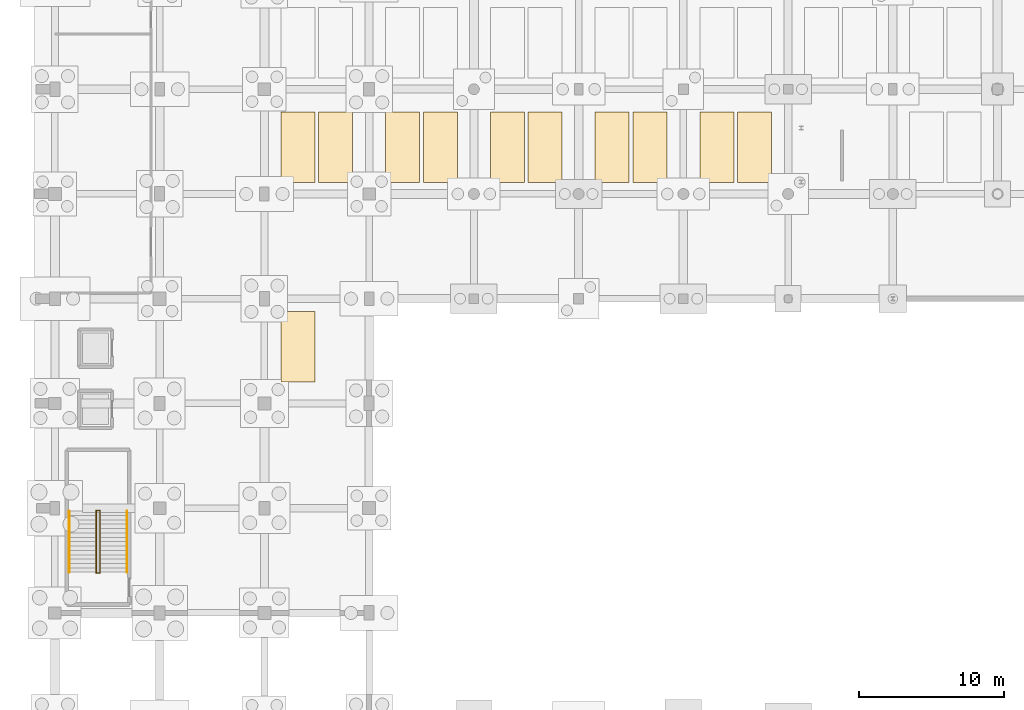
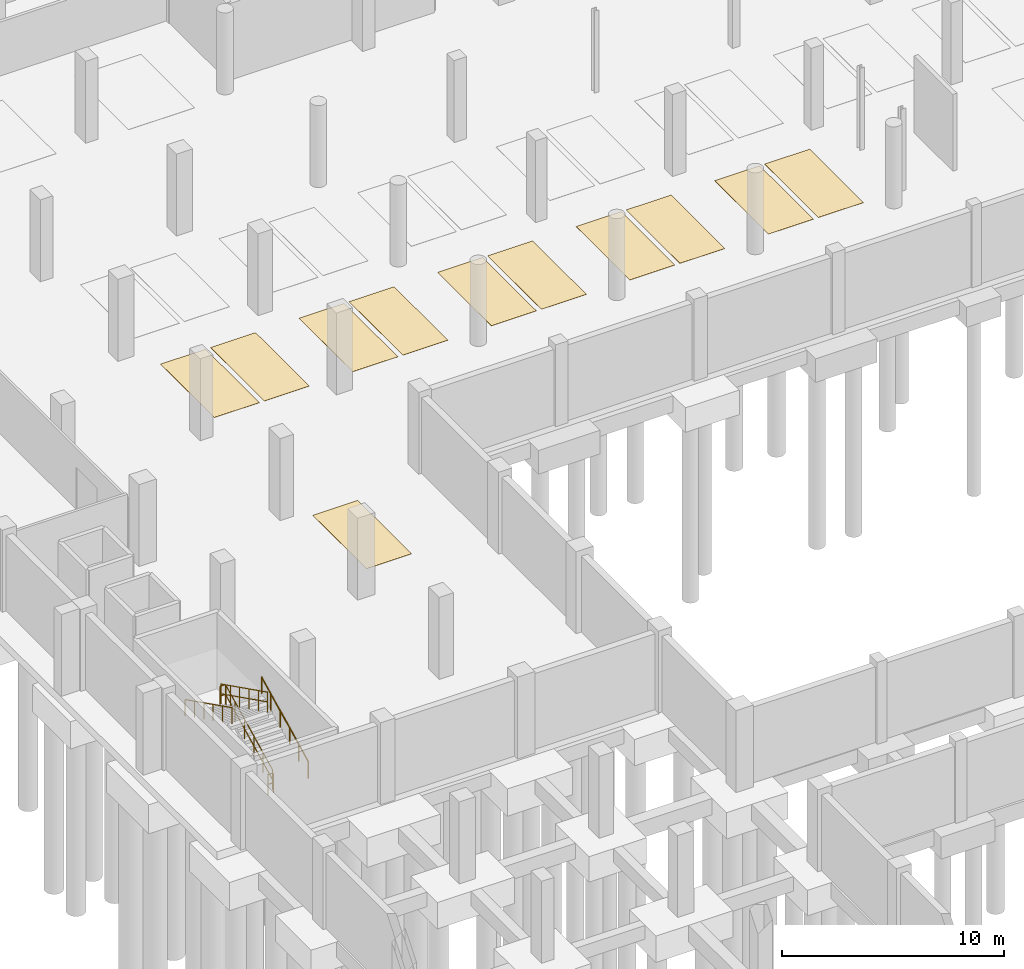
# One storey, part 29 of 35: 11 coverings, 6 railings.
"""IFC4 building model written with IfcOpenShell, lengths in metres."""

import ifcopenshell
import ifcopenshell.guid

model = None  # the IFC model being written
_history = None  # IfcOwnerHistory: only IFC2X3 demands one
_inside = {}  # id of a spatial element -> (the spatial element, [elements in it])
_under = {}  # id of a project, library or spatial element -> (it, [spatial elements below it])
_declared = {}  # id of a project -> (the project, [libraries it declares])
_typed = {}  # id of a type object -> (the type object, [elements of that type])
_made_of = {}  # id of a material, layer set ... -> (it, [elements and type objects made of it])


def new_model(schema):
    """Start an empty IFC model of exactly this schema.

    Asked for "IFC4X3", IfcOpenShell would pick the latest addendum, in which some entities
    have other attributes; the version numbers below select the first issue.
    IFC2X3 requires an IfcOwnerHistory on every rooted entity: one is made here for all.
    """
    global model, _history
    if schema == "IFC4X3":
        model = ifcopenshell.file(schema_version=(4, 3, 0, 0))
    else:
        model = ifcopenshell.file(schema=schema)
    _inside.clear()
    _under.clear()
    _declared.clear()
    _typed.clear()
    _made_of.clear()
    _history = None
    if model.schema == "IFC2X3":
        org = make("IfcOrganization", Name="unknown")
        user = make(
            "IfcPersonAndOrganization",
            ThePerson=make("IfcPerson", FamilyName="unknown"),
            TheOrganization=org,
        )
        app = make(
            "IfcApplication",
            ApplicationDeveloper=org,
            Version="unknown",
            ApplicationFullName="unknown",
            ApplicationIdentifier="unknown",
        )
        _history = make(
            "IfcOwnerHistory",
            OwningUser=user,
            OwningApplication=app,
            ChangeAction="ADDED",
            CreationDate=0,
        )
    return model


def make(cls, **values):
    """One entity of the class cls with the attributes given. An attribute that is None is left unset."""
    return model.create_entity(
        cls, **{name: value for name, value in values.items() if value is not None}
    )


def rooted(cls, **values):
    """An entity with a GlobalId (a new one), such as an element, a storey or a relation."""
    return make(cls, GlobalId=ifcopenshell.guid.new(), OwnerHistory=_history, **values)


def si_unit(unit_type, name, prefix=None):
    """IfcSIUnit, for example si_unit("LENGTHUNIT", "METRE", prefix="MILLI")."""
    return make("IfcSIUnit", UnitType=unit_type, Prefix=prefix, Name=name)


def assignment(units):
    """IfcUnitAssignment: the units of a project."""
    return None if units is None else make("IfcUnitAssignment", Units=units)


def point(xyz):
    """IfcCartesianPoint."""
    return None if xyz is None else make("IfcCartesianPoint", Coordinates=xyz)


def direction(xyz):
    """IfcDirection."""
    return None if xyz is None else make("IfcDirection", DirectionRatios=xyz)


def frame(location, z_axis=None, x_axis=None):
    """IfcAxis2Placement3D, a coordinate frame: its origin and axes. An axis left out is left unset."""
    return make(
        "IfcAxis2Placement3D",
        Location=point(location),
        Axis=direction(z_axis),
        RefDirection=direction(x_axis),
    )


def frame_2d(location, x_axis=None):
    """IfcAxis2Placement2D, a coordinate frame in the plane: its origin and x axis."""
    return make(
        "IfcAxis2Placement2D", Location=point(location), RefDirection=direction(x_axis)
    )


def origin():
    """The frame at (0, 0, 0) with its axes left unset."""
    return frame((0.0, 0.0, 0.0))


def origin_2d():
    """The frame at (0, 0) in the plane with its x axis left unset."""
    return frame_2d((0.0, 0.0))


def place(relative_to, where):
    """IfcLocalPlacement: puts the frame where relative to a parent placement (None: the world)."""
    return make(
        "IfcLocalPlacement", PlacementRelTo=relative_to, RelativePlacement=where
    )


def context(
    kind, dimensions, precision=None, world=None, true_north=None, identifier=None
):
    """IfcGeometricRepresentationContext, for example the 3D "Model" context."""
    return make(
        "IfcGeometricRepresentationContext",
        ContextIdentifier=identifier,
        ContextType=kind,
        CoordinateSpaceDimension=dimensions,
        Precision=precision,
        WorldCoordinateSystem=world,
        TrueNorth=true_north,
    )


def subcontext(parent, identifier, kind, view, scale=None):
    """IfcGeometricRepresentationSubContext, for example "Body" below "Model"."""
    return make(
        "IfcGeometricRepresentationSubContext",
        ContextIdentifier=identifier,
        ContextType=kind,
        ParentContext=parent,
        TargetScale=scale,
        TargetView=view,
    )


def project(units=None, contexts=None):
    """IfcProject with its units and contexts."""
    return rooted(
        "IfcProject",
        Name="project",
        RepresentationContexts=contexts,
        UnitsInContext=assignment(units),
    )


def spatial(cls, under=None, at=None, **own):
    """A site, building, storey or space (cls), placed at a placement, below another one or the project."""
    s = rooted(cls, ObjectPlacement=at, **own)
    if under is not None:
        _under.setdefault(under.id(), (under, []))[1].append(s)
    return s


def polyline(points):
    """IfcPolyline through the points."""
    return make("IfcPolyline", Points=[point(p) for p in points])


def profile(cls, at=None, kind="AREA", **sizes):
    """A parametric profile (cls). Its sizes go by their IFC names, for example OverallWidth=200.0."""
    return make(cls, ProfileType=kind, Position=at, **sizes)


def circle(**sizes):
    """IfcCircleProfileDef."""
    return profile("IfcCircleProfileDef", **sizes)


def outline(outer, holes=None, kind="AREA"):
    """IfcArbitraryClosedProfileDef: a profile drawn as a closed curve; with holes, ...WithVoids."""
    if holes is None:
        return make("IfcArbitraryClosedProfileDef", ProfileType=kind, OuterCurve=outer)
    return make(
        "IfcArbitraryProfileDefWithVoids",
        ProfileType=kind,
        OuterCurve=outer,
        InnerCurves=holes,
    )


def extrude(swept, where, along, depth):
    """IfcExtrudedAreaSolid: the profile swept, set in the frame where, extruded along a direction by depth."""
    return make(
        "IfcExtrudedAreaSolid",
        SweptArea=swept,
        Position=where,
        ExtrudedDirection=direction(along),
        Depth=depth,
    )


def shape(context_of_items, identifier, shape_type, items):
    """IfcShapeRepresentation: the items that make up one representation, for example the "Body"."""
    return make(
        "IfcShapeRepresentation",
        ContextOfItems=context_of_items,
        RepresentationIdentifier=identifier,
        RepresentationType=shape_type,
        Items=items,
    )


def material(Name=None, Category=None):
    """IfcMaterial."""
    return make("IfcMaterial", Name=Name, Category=Category)


def layer(
    of_material, thickness, ventilated=None, Name=None, Category=None, Priority=None
):
    """IfcMaterialLayer: one layer of a wall or slab, of a material (None: an air gap)."""
    return make(
        "IfcMaterialLayer",
        Material=of_material,
        LayerThickness=thickness,
        IsVentilated=ventilated,
        Name=Name,
        Category=Category,
        Priority=Priority,
    )


def layer_set(layers, Name=None):
    """IfcMaterialLayerSet."""
    return make("IfcMaterialLayerSet", MaterialLayers=layers, LayerSetName=Name)


def made_of(thing, what):
    """Note that an element or type object is made of a material, layer set ...; save() writes the relation."""
    if what is not None:
        _made_of.setdefault(what.id(), (what, []))[1].append(thing)
    return thing


def type_object(cls, material=None, **own):
    """A type object (cls), such as IfcWallType, which elements share."""
    return made_of(rooted(cls, **own), material)


def element(
    cls,
    number,
    at=None,
    inside=None,
    cuts=None,
    type_object=None,
    material=None,
    context=None,
    identifier="Body",
    shape_type=None,
    held_by="IfcProductDefinitionShape",
    body=None,
    shapes=None,
    **own,
):
    """One element of the class cls, such as IfcWall. Its Tag is "e" and its number.

    at: its placement. inside: the storey or other place that contains it. cuts: it is an
    opening in that element (IfcRelVoidsElement). A single representation is given by context,
    identifier, shape_type and body (its items); several are given by shapes. held_by: the class
    of the entity that holds the representations. save() writes the other relations.
    """
    e = rooted(cls, Tag="e%d" % number, ObjectPlacement=at, **own)
    if body is not None:
        shapes = [shape(context, identifier, shape_type, body)]
    if shapes is not None:
        e.Representation = make(held_by, Representations=shapes)
    if inside is not None:
        _inside.setdefault(inside.id(), (inside, []))[1].append(e)
    if cuts is not None:
        rooted(
            "IfcRelVoidsElement", RelatingBuildingElement=cuts, RelatedOpeningElement=e
        )
    if type_object is not None:
        _typed.setdefault(type_object.id(), (type_object, []))[1].append(e)
    return made_of(e, material)


def aggregate(whole, parts):
    """IfcRelAggregates: a whole, such as a stair, and the parts it consists of."""
    return rooted("IfcRelAggregates", RelatingObject=whole, RelatedObjects=parts)


def save(model, path):
    """Write the relations noted so far, then the file.

    IfcRelAggregates (storeys below a building ...), IfcRelContainedInSpatialStructure (elements
    in a storey), IfcRelDefinesByType, IfcRelAssociatesMaterial and IfcRelDeclares: one each for
    every whole, place, type object, material and project.
    """
    for whole, parts in _under.values():
        aggregate(whole, parts)
    for where, things in _inside.values():
        rooted(
            "IfcRelContainedInSpatialStructure",
            RelatedElements=things,
            RelatingStructure=where,
        )
    for kind, things in _typed.values():
        rooted("IfcRelDefinesByType", RelatedObjects=things, RelatingType=kind)
    for what, things in _made_of.values():
        rooted("IfcRelAssociatesMaterial", RelatedObjects=things, RelatingMaterial=what)
    for by, libraries in _declared.values():
        rooted("IfcRelDeclares", RelatingContext=by, RelatedDefinitions=libraries)
    model.write(path)


model = new_model("IFC4")

# Units and contexts
model_context = context("Model", 3, precision=1e-05, world=origin(), true_north=direction((0.0, 1.0)))
body_context = subcontext(model_context, "Body", "Model", "MODEL_VIEW")
ifc_project = project(units=[si_unit("LENGTHUNIT", "METRE"), si_unit("AREAUNIT", "SQUARE_METRE"), si_unit("VOLUMEUNIT", "CUBIC_METRE"), si_unit("PLANEANGLEUNIT", "RADIAN"), si_unit("MASSUNIT", "GRAM", prefix="KILO")], contexts=[model_context])

# Site, building, storey
site_placement = place(None, origin())
site = spatial("IfcSite", under=ifc_project, at=site_placement, CompositionType="ELEMENT")
building_placement = place(site_placement, origin())
building = spatial("IfcBuilding", under=site, at=building_placement, Name="Kalluvel Institute of Natural Sciences", CompositionType="ELEMENT")
storey_placement = place(building_placement, frame((0.0, 0.0, -4.5)))
storey = spatial("IfcBuildingStorey", under=building, at=storey_placement, Name="B1", CompositionType="ELEMENT", Elevation=-4.5)

# Coverings
ifc_material_1 = material(Name="Seamless Chemical-Resistant Epoxy Flooring", Category="resin")
ifc_layer = layer(ifc_material_1, 0.014892578125)
ifc_layer_set = layer_set([ifc_layer], Name="Seamless Chemical-Resistant Epoxy Flooring")
covering_type = type_object("IfcCoveringType", Name="COV-FLR-EPOXY", PredefinedType="FLOORING", material=ifc_layer_set)
covering_1_placement = place(storey_placement, origin())
element("IfcCovering", 1, at=covering_1_placement, inside=storey, type_object=covering_type, Name="Parking bay marking B1-P36", PredefinedType="FLOORING", context=body_context, shape_type="SweptSolid", body=[
    extrude(outline(polyline([(29.530029296875, 72.3798828125), (31.8701171875, 72.3798828125), (31.8701171875, 77.219970703125), (29.530029296875, 77.219970703125), (29.530029296875, 72.3798828125)])), origin(), (0.0, 0.0, 1.0), 0.008056640625),
])
covering_2_placement = place(storey_placement, origin())
element("IfcCovering", 2, at=covering_2_placement, inside=storey, type_object=covering_type, Name="Parking bay marking B1-P37", PredefinedType="FLOORING", context=body_context, shape_type="SweptSolid", body=[
    extrude(outline(polyline([(32.1298828125, 72.3798828125), (34.469970703125, 72.3798828125), (34.469970703125, 77.219970703125), (32.1298828125, 77.219970703125), (32.1298828125, 72.3798828125)])), origin(), (0.0, 0.0, 1.0), 0.008056640625),
])
covering_3_placement = place(storey_placement, origin())
element("IfcCovering", 3, at=covering_3_placement, inside=storey, type_object=covering_type, Name="Parking bay marking B1-P38", PredefinedType="FLOORING", context=body_context, shape_type="SweptSolid", body=[
    extrude(outline(polyline([(36.72998046875, 72.3798828125), (39.070068359375, 72.3798828125), (39.070068359375, 77.219970703125), (36.72998046875, 77.219970703125), (36.72998046875, 72.3798828125)])), origin(), (0.0, 0.0, 1.0), 0.008056640625),
])
covering_4_placement = place(storey_placement, origin())
element("IfcCovering", 4, at=covering_4_placement, inside=storey, type_object=covering_type, Name="Parking bay marking B1-P39", PredefinedType="FLOORING", context=body_context, shape_type="SweptSolid", body=[
    extrude(outline(polyline([(39.330078125, 72.3798828125), (41.669921875, 72.3798828125), (41.669921875, 77.219970703125), (39.330078125, 77.219970703125), (39.330078125, 72.3798828125)])), origin(), (0.0, 0.0, 1.0), 0.008056640625),
])
covering_5_placement = place(storey_placement, origin())
element("IfcCovering", 5, at=covering_5_placement, inside=storey, type_object=covering_type, Name="Parking bay marking B1-P40", PredefinedType="FLOORING", context=body_context, shape_type="SweptSolid", body=[
    extrude(outline(polyline([(43.929931640625, 72.3798828125), (46.27001953125, 72.3798828125), (46.27001953125, 77.219970703125), (43.929931640625, 77.219970703125), (43.929931640625, 72.3798828125)])), origin(), (0.0, 0.0, 1.0), 0.008056640625),
])
covering_6_placement = place(storey_placement, origin())
element("IfcCovering", 6, at=covering_6_placement, inside=storey, type_object=covering_type, Name="Parking bay marking B1-P41", PredefinedType="FLOORING", context=body_context, shape_type="SweptSolid", body=[
    extrude(outline(polyline([(46.530029296875, 72.3798828125), (48.8701171875, 72.3798828125), (48.8701171875, 77.219970703125), (46.530029296875, 77.219970703125), (46.530029296875, 72.3798828125)])), origin(), (0.0, 0.0, 1.0), 0.008056640625),
])
covering_7_placement = place(storey_placement, origin())
element("IfcCovering", 7, at=covering_7_placement, inside=storey, type_object=covering_type, Name="Parking bay marking B1-P42", PredefinedType="FLOORING", context=body_context, shape_type="SweptSolid", body=[
    extrude(outline(polyline([(51.1298828125, 72.3798828125), (53.469970703125, 72.3798828125), (53.469970703125, 77.219970703125), (51.1298828125, 77.219970703125), (51.1298828125, 72.3798828125)])), origin(), (0.0, 0.0, 1.0), 0.008056640625),
])
covering_8_placement = place(storey_placement, origin())
element("IfcCovering", 8, at=covering_8_placement, inside=storey, type_object=covering_type, Name="Parking bay marking B1-P43", PredefinedType="FLOORING", context=body_context, shape_type="SweptSolid", body=[
    extrude(outline(polyline([(53.72998046875, 72.3798828125), (56.070068359375, 72.3798828125), (56.070068359375, 77.219970703125), (53.72998046875, 77.219970703125), (53.72998046875, 72.3798828125)])), origin(), (0.0, 0.0, 1.0), 0.008056640625),
])
covering_9_placement = place(storey_placement, origin())
element("IfcCovering", 9, at=covering_9_placement, inside=storey, type_object=covering_type, Name="Parking bay marking B1-P44", PredefinedType="FLOORING", context=body_context, shape_type="SweptSolid", body=[
    extrude(outline(polyline([(58.330078125, 72.3798828125), (60.669921875, 72.3798828125), (60.669921875, 77.219970703125), (58.330078125, 77.219970703125), (58.330078125, 72.3798828125)])), origin(), (0.0, 0.0, 1.0), 0.008056640625),
])
covering_10_placement = place(storey_placement, origin())
element("IfcCovering", 10, at=covering_10_placement, inside=storey, type_object=covering_type, Name="Parking bay marking B1-P45", PredefinedType="FLOORING", context=body_context, shape_type="SweptSolid", body=[
    extrude(outline(polyline([(60.929931640625, 72.3798828125), (63.27001953125, 72.3798828125), (63.27001953125, 77.219970703125), (60.929931640625, 77.219970703125), (60.929931640625, 72.3798828125)])), origin(), (0.0, 0.0, 1.0), 0.008056640625),
])
covering_11_placement = place(storey_placement, origin())
element("IfcCovering", 11, at=covering_11_placement, inside=storey, type_object=covering_type, Name="Parking bay marking B1-P48", PredefinedType="FLOORING", context=body_context, shape_type="SweptSolid", body=[
    extrude(outline(polyline([(29.530029296875, 58.679931640625), (31.8701171875, 58.679931640625), (31.8701171875, 63.52001953125), (29.530029296875, 63.52001953125), (29.530029296875, 58.679931640625)])), origin(), (0.0, 0.0, 1.0), 0.008056640625),
])

# Railings
ifc_material_2 = material(Name="Galvanized Fire-Rated Steel", Category="steel")
railing_type_1 = type_object("IfcRailingType", Name="RL-GD-STAIR", PredefinedType="BALUSTRADE", material=ifc_material_2)
railing_1_placement = place(storey_placement, frame((17.090087890625, 45.60009765625, 0.14990234375)))
element("IfcRailing", 12, at=railing_1_placement, inside=storey, type_object=railing_type_1, Name="B1 ST4 stair guard 1", PredefinedType="BALUSTRADE", context=body_context, shape_type="SweptSolid", body=[
    extrude(circle(Radius=0.02392578125, at=origin_2d()), frame((0.0, 0.0, 1.09619140625), z_axis=(0.0, 0.894416792377, 0.447234392142), x_axis=(-1.0, 0.0, 0.0)), (0.0, 0.0, 1.0), 4.69580078125),
    extrude(circle(Radius=0.02392578125, at=origin_2d()), frame((0.0, 0.0, 0.56005859375), z_axis=(0.0, 0.894416792377, 0.447234392142), x_axis=(-1.0, 0.0, 0.0)), (0.0, 0.0, 1.0), 4.69580078125),
    extrude(circle(Radius=0.02099609375, at=origin_2d()), origin(), (0.0, 0.0, 1.0), 1.072021484375),
    extrude(circle(Radius=0.02099609375, at=origin_2d()), frame((0.0, 0.840087890625, 0.419921875)), (0.0, 0.0, 1.0), 1.072021484375),
    extrude(circle(Radius=0.02099609375, at=origin_2d()), frame((0.0, 1.679931640625, 0.840087890625)), (0.0, 0.0, 1.0), 1.072021484375),
    extrude(circle(Radius=0.02099609375, at=origin_2d()), frame((0.0, 2.52001953125, 1.260009765625)), (0.0, 0.0, 1.0), 1.072021484375),
    extrude(circle(Radius=0.02099609375, at=origin_2d()), frame((0.0, 3.35986328125, 1.68017578125)), (0.0, 0.0, 1.0), 1.072021484375),
    extrude(circle(Radius=0.02099609375, at=origin_2d()), frame((0.0, 4.199951171875, 2.10009765625)), (0.0, 0.0, 1.0), 1.072021484375),
])
railing_2_placement = place(storey_placement, frame((17.10498046875, 49.85009765625, 2.25)))
element("IfcRailing", 13, at=railing_2_placement, inside=storey, type_object=railing_type_1, Name="B1 ST4 stair guard 2", PredefinedType="BALUSTRADE", context=body_context, shape_type="SweptSolid", body=[
    extrude(circle(Radius=0.02392578125, at=origin_2d()), frame((0.0, 0.0, 1.09619140625), z_axis=(-1.0, 0.0, 0.0), x_axis=(0.0, -1.0, 0.0)), (0.0, 0.0, 1.0), 0.280029296875),
    extrude(circle(Radius=0.02392578125, at=origin_2d()), frame((0.0, 0.0, 0.56005859375), z_axis=(-1.0, 0.0, 0.0), x_axis=(0.0, -1.0, 0.0)), (0.0, 0.0, 1.0), 0.280029296875),
    extrude(circle(Radius=0.02099609375, at=origin_2d()), origin(), (0.0, 0.0, 1.0), 1.072021484375),
    extrude(circle(Radius=0.02099609375, at=origin_2d()), frame((-0.280029296875, 0.0, 0.0)), (0.0, 0.0, 1.0), 1.072021484375),
])
railing_3_placement = place(storey_placement, frame((16.840087890625, 49.800048828125, 2.39990234375)))
element("IfcRailing", 14, at=railing_3_placement, inside=storey, type_object=railing_type_1, Name="B1 ST4 stair guard 3", PredefinedType="BALUSTRADE", context=body_context, shape_type="SweptSolid", body=[
    extrude(circle(Radius=0.02392578125, at=origin_2d()), frame((0.0, 0.0, 1.09619140625), z_axis=(0.0, -0.894416792377, 0.447234392142), x_axis=(1.0, 0.0, 0.0)), (0.0, 0.0, 1.0), 4.69580078125),
    extrude(circle(Radius=0.02392578125, at=origin_2d()), frame((0.0, 0.0, 0.56005859375), z_axis=(0.0, -0.894416792377, 0.447234392142), x_axis=(1.0, 0.0, 0.0)), (0.0, 0.0, 1.0), 4.69580078125),
    extrude(circle(Radius=0.02099609375, at=origin_2d()), origin(), (0.0, 0.0, 1.0), 1.072021484375),
    extrude(circle(Radius=0.02099609375, at=origin_2d()), frame((0.0, -0.840087890625, 0.419921875)), (0.0, 0.0, 1.0), 1.072021484375),
    extrude(circle(Radius=0.02099609375, at=origin_2d()), frame((0.0, -1.679931640625, 0.840087890625)), (0.0, 0.0, 1.0), 1.072021484375),
    extrude(circle(Radius=0.02099609375, at=origin_2d()), frame((0.0, -2.52001953125, 1.260009765625)), (0.0, 0.0, 1.0), 1.072021484375),
    extrude(circle(Radius=0.02099609375, at=origin_2d()), frame((0.0, -3.35986328125, 1.68017578125)), (0.0, 0.0, 1.0), 1.072021484375),
    extrude(circle(Radius=0.02099609375, at=origin_2d()), frame((0.0, -4.199951171875, 2.10009765625)), (0.0, 0.0, 1.0), 1.072021484375),
])
railing_4_placement = place(storey_placement, frame((17.10498046875, 45.550048828125, 0.0)))
element("IfcRailing", 15, at=railing_4_placement, inside=storey, type_object=railing_type_1, Name="B1 ST4 stair guard 4", PredefinedType="BALUSTRADE", context=body_context, shape_type="SweptSolid", body=[
    extrude(circle(Radius=0.02392578125, at=origin_2d()), frame((0.0, 0.0, 1.09619140625), z_axis=(-1.0, 0.0, 0.0), x_axis=(0.0, -1.0, 0.0)), (0.0, 0.0, 1.0), 0.280029296875),
    extrude(circle(Radius=0.02392578125, at=origin_2d()), frame((0.0, 0.0, 0.56005859375), z_axis=(-1.0, 0.0, 0.0), x_axis=(0.0, -1.0, 0.0)), (0.0, 0.0, 1.0), 0.280029296875),
    extrude(circle(Radius=0.02099609375, at=origin_2d()), origin(), (0.0, 0.0, 1.0), 1.072021484375),
    extrude(circle(Radius=0.02099609375, at=origin_2d()), frame((-0.280029296875, 0.0, 0.0)), (0.0, 0.0, 1.0), 1.072021484375),
])
railing_type_2 = type_object("IfcRailingType", Name="RL-HR-STAIR", PredefinedType="HANDRAIL", material=ifc_material_2)
railing_5_placement = place(storey_placement, frame((18.949951171875, 45.60009765625, 0.14990234375)))
element("IfcRailing", 16, at=railing_5_placement, inside=storey, type_object=railing_type_2, Name="B1 ST4 stair handrail 1", PredefinedType="HANDRAIL", context=body_context, shape_type="SweptSolid", body=[
    extrude(circle(Radius=0.02392578125, at=origin_2d()), frame((0.0, 0.0, 0.89599609375), z_axis=(0.0, 0.894416792377, 0.447234392142), x_axis=(-1.0, 0.0, 0.0)), (0.0, 0.0, 1.0), 4.69580078125),
    extrude(circle(Radius=0.02099609375, at=origin_2d()), origin(), (0.0, 0.0, 1.0), 0.871826171875),
    extrude(circle(Radius=0.02099609375, at=origin_2d()), frame((0.0, 0.840087890625, 0.419921875)), (0.0, 0.0, 1.0), 0.871826171875),
    extrude(circle(Radius=0.02099609375, at=origin_2d()), frame((0.0, 1.679931640625, 0.840087890625)), (0.0, 0.0, 1.0), 0.871826171875),
    extrude(circle(Radius=0.02099609375, at=origin_2d()), frame((0.0, 2.52001953125, 1.260009765625)), (0.0, 0.0, 1.0), 0.871826171875),
    extrude(circle(Radius=0.02099609375, at=origin_2d()), frame((0.0, 3.35986328125, 1.68017578125)), (0.0, 0.0, 1.0), 0.871826171875),
    extrude(circle(Radius=0.02099609375, at=origin_2d()), frame((0.0, 4.199951171875, 2.10009765625)), (0.0, 0.0, 1.0), 0.871826171875),
])
railing_6_placement = place(storey_placement, frame((14.97998046875, 49.800048828125, 2.39990234375)))
element("IfcRailing", 17, at=railing_6_placement, inside=storey, type_object=railing_type_2, Name="B1 ST4 stair handrail 2", PredefinedType="HANDRAIL", context=body_context, shape_type="SweptSolid", body=[
    extrude(circle(Radius=0.02392578125, at=origin_2d()), frame((0.0, 0.0, 0.89599609375), z_axis=(0.0, -0.894416792377, 0.447234392142), x_axis=(1.0, 0.0, 0.0)), (0.0, 0.0, 1.0), 4.69580078125),
    extrude(circle(Radius=0.02099609375, at=origin_2d()), origin(), (0.0, 0.0, 1.0), 0.871826171875),
    extrude(circle(Radius=0.02099609375, at=origin_2d()), frame((0.0, -0.840087890625, 0.419921875)), (0.0, 0.0, 1.0), 0.871826171875),
    extrude(circle(Radius=0.02099609375, at=origin_2d()), frame((0.0, -1.679931640625, 0.840087890625)), (0.0, 0.0, 1.0), 0.871826171875),
    extrude(circle(Radius=0.02099609375, at=origin_2d()), frame((0.0, -2.52001953125, 1.260009765625)), (0.0, 0.0, 1.0), 0.871826171875),
    extrude(circle(Radius=0.02099609375, at=origin_2d()), frame((0.0, -3.35986328125, 1.68017578125)), (0.0, 0.0, 1.0), 0.871826171875),
    extrude(circle(Radius=0.02099609375, at=origin_2d()), frame((0.0, -4.199951171875, 2.10009765625)), (0.0, 0.0, 1.0), 0.871826171875),
])

save(model, "model.ifc")
